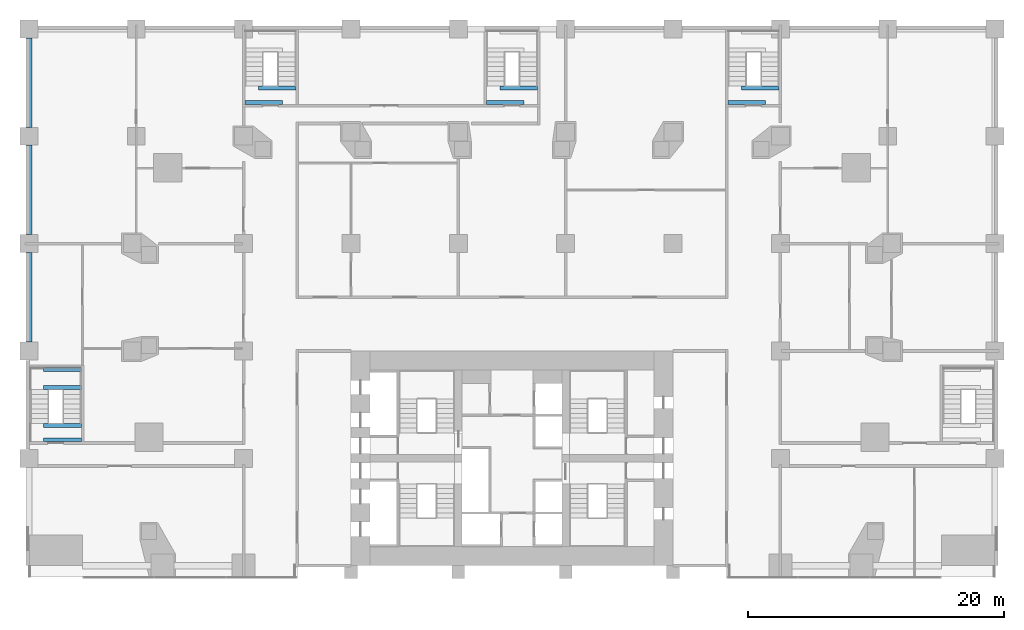
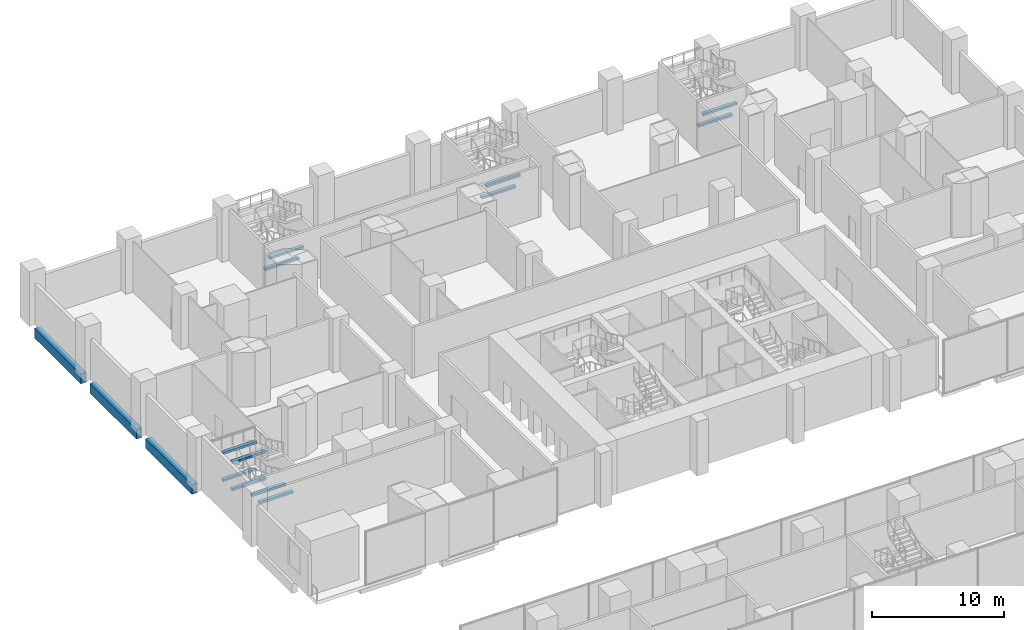
# One storey, part 6 of 24: 15 beams.
"""IFC4 building model written with IfcOpenShell, lengths in metres."""

from ifc_helpers import new_model, si_unit, direction, frame, origin, origin_2d, place, context, subcontext, project, spatial, rectangle, extrude, material, material_profile, profile_set, type_object, element, save


model = new_model("IFC4")

# Units and contexts
model_context = context("Model", 3, precision=1e-05, world=origin(), true_north=direction((0.0, 1.0)))
body_context = subcontext(model_context, "Body", "Model", "MODEL_VIEW")
ifc_project = project(units=[si_unit("LENGTHUNIT", "METRE"), si_unit("AREAUNIT", "SQUARE_METRE"), si_unit("VOLUMEUNIT", "CUBIC_METRE"), si_unit("PLANEANGLEUNIT", "RADIAN"), si_unit("MASSUNIT", "GRAM", prefix="KILO")], contexts=[model_context])

# Site, building, storey
site_placement = place(None, origin())
site = spatial("IfcSite", under=ifc_project, at=site_placement, CompositionType="ELEMENT")
building_placement = place(site_placement, origin())
building = spatial("IfcBuilding", under=site, at=building_placement, Name="Marenta Gate Hotel Tower", CompositionType="ELEMENT")
storey_placement = place(building_placement, frame((0.0, 0.0, 8.0)))
storey = spatial("IfcBuildingStorey", under=building, at=storey_placement, Name="L01", CompositionType="ELEMENT", Elevation=8.0)

# Beams
ifc_material_1 = material(Name="Concrete C60", Category="concrete")
ifc_material_profile_1 = material_profile(ifc_material_1, rectangle(XDim=0.5, YDim=0.89990234375, at=origin_2d()), Name="500 x 900")
ifc_profile_set_1 = profile_set([ifc_material_profile_1], Name="Concrete C60")
beam_type_1 = type_object("IfcBeamType", Name="Podium edge beam 500 x 900 C60", PredefinedType="BEAM", material=ifc_profile_set_1)
for number, where, z_axis, x_axis, name in (
    (1, (-37.800048828125, 41.300048828125, -0.77001953125), (0.0, -1.0, 0.0), (1.0, 0.0, 0.0), "L01-PBM-40"),
    (2, (-37.800048828125, 32.89990234375, -0.77001953125), (0.0, -1.0, 0.0), (1.0, 0.0, 0.0), "L01-PBM-41"),
    (3, (-37.800048828125, 24.5, -0.77001953125), (0.0, -1.0, 0.0), (1.0, 0.0, 0.0), "L01-PBM-42"),
):
    element("IfcBeam", number, at=place(storey_placement, frame(where, z_axis=z_axis, x_axis=x_axis)), inside=storey, type_object=beam_type_1, Name=name, PredefinedType="BEAM", context=body_context, shape_type="SweptSolid", body=[
        extrude(rectangle(XDim=0.5, YDim=0.89990234375, at=origin_2d()), origin(), (0.0, 0.0, 1.0), 7.0),
    ])
ifc_material_2 = material(Name="Concrete C40", Category="concrete")
ifc_material_profile_2 = material_profile(ifc_material_2, rectangle(XDim=0.300048828125, YDim=0.199951171875, at=origin_2d()), Name="300 x 200")
ifc_profile_set_2 = profile_set([ifc_material_profile_2], Name="Concrete C40")
beam_type_2 = type_object("IfcBeamType", Name="Stair landing trimmer 300 x 200 C40", PredefinedType="BEAM", material=ifc_profile_set_2)
beam_placement = place(storey_placement, frame((-20.89990234375, 36.25, 2.199951171875), z_axis=(1.0, 0.0, 0.0), x_axis=(0.0, 1.0, 0.0)))
element("IfcBeam", 4, at=beam_placement, inside=storey, type_object=beam_type_2, Name="L01-PX3-LT-3", PredefinedType="BEAM", context=body_context, shape_type="SweptSolid", body=[
    extrude(rectangle(XDim=0.300048828125, YDim=0.199951171875, at=origin_2d()), origin(), (0.0, 0.0, 1.0), 2.949951171875),
])
for number, where, z_axis, x_axis, name in (
    (5, (-19.85009765625, 37.3798828125, 2.199951171875), (1.0, 0.0, 0.0), (0.0, 1.0, 0.0), "L01-PX3-LT-4"),
    (6, (16.89990234375, 36.25, 2.199951171875), (1.0, 0.0, 0.0), (0.0, 1.0, 0.0), "L01-PX4-LT-3"),
):
    element("IfcBeam", number, at=place(storey_placement, frame(where, z_axis=z_axis, x_axis=x_axis)), inside=storey, type_object=beam_type_2, Name=name, PredefinedType="BEAM", context=body_context, shape_type="SweptSolid", body=[
        extrude(rectangle(XDim=0.300048828125, YDim=0.199951171875, at=origin_2d()), origin(), (0.0, 0.0, 1.0), 2.9501953125),
    ])
for number, where, z_axis, x_axis, name in (
    (7, (17.949951171875, 37.3798828125, 2.199951171875), (1.0, 0.0, 0.0), (0.0, 1.0, 0.0), "L01-PX4-LT-4"),
    (8, (-36.64990234375, 13.93994140625, 0.949951171875), (1.0, 0.0, 0.0), (0.0, 1.0, 0.0), "L01-PX6-LT-1"),
    (9, (-36.64990234375, 15.35009765625, 0.949951171875), (1.0, 0.0, 0.0), (0.0, 1.0, 0.0), "L01-PX6-LT-2"),
    (10, (-36.64990234375, 9.85009765625, 2.199951171875), (1.0, 0.0, 0.0), (0.0, 1.0, 0.0), "L01-PX6-LT-3"),
    (11, (-36.64990234375, 10.97998046875, 2.199951171875), (1.0, 0.0, 0.0), (0.0, 1.0, 0.0), "L01-PX6-LT-4"),
    (12, (-36.64990234375, 13.93994140625, 3.449951171875), (1.0, 0.0, 0.0), (0.0, 1.0, 0.0), "L01-PX6-LT-5"),
    (13, (-36.64990234375, 15.35009765625, 3.449951171875), (1.0, 0.0, 0.0), (0.0, 1.0, 0.0), "L01-PX6-LT-6"),
    (14, (-2.0, 36.25, 2.199951171875), (1.0, 0.0, 0.0), (0.0, 1.0, 0.0), "L01-PX8-LT-3"),
    (15, (-0.949951171875, 37.3798828125, 2.199951171875), (1.0, 0.0, 0.0), (0.0, 1.0, 0.0), "L01-PX8-LT-4"),
):
    element("IfcBeam", number, at=place(storey_placement, frame(where, z_axis=z_axis, x_axis=x_axis)), inside=storey, type_object=beam_type_2, Name=name, PredefinedType="BEAM", context=body_context, shape_type="SweptSolid", body=[
        extrude(rectangle(XDim=0.300048828125, YDim=0.199951171875, at=origin_2d()), origin(), (0.0, 0.0, 1.0), 2.949951171875),
    ])

save(model, "model.ifc")
